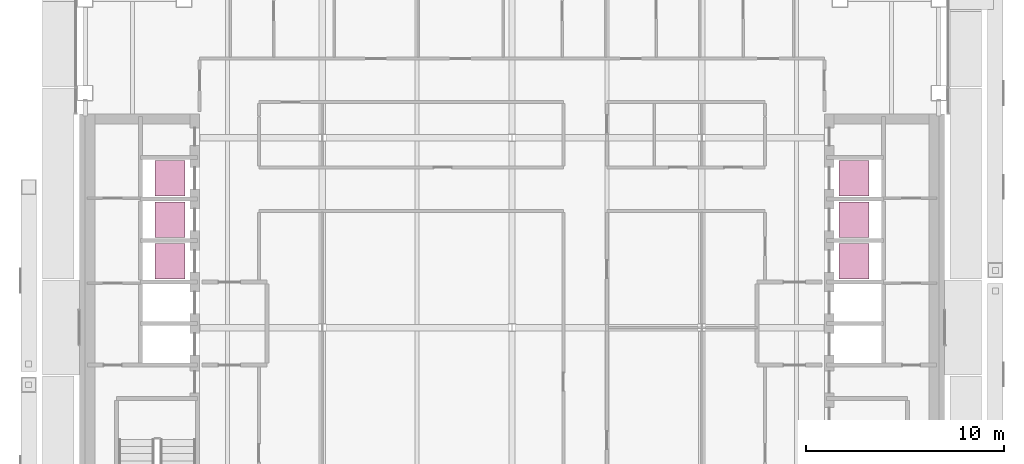
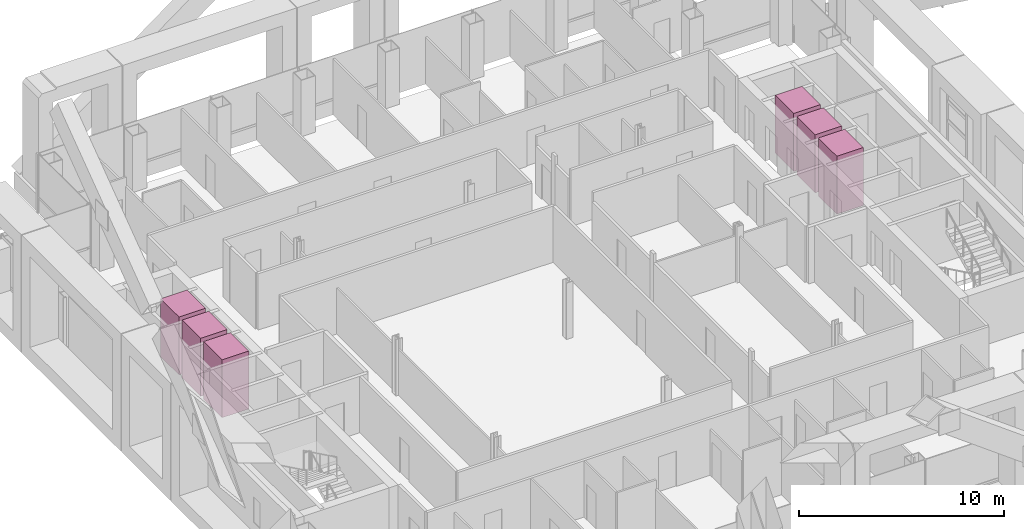
# One storey, part 22 of 22: 6 transport elements.
"""IFC4 building model written with IfcOpenShell, lengths in metres."""

from ifc_helpers import new_model, si_unit, direction, frame, origin, origin_2d, place, context, subcontext, project, spatial, rectangle, extrude, material, type_object, element, save


model = new_model("IFC4")

# Units and contexts
model_context = context("Model", 3, precision=1e-05, world=origin(), true_north=direction((0.0, 1.0)))
body_context = subcontext(model_context, "Body", "Model", "MODEL_VIEW")
ifc_project = project(units=[si_unit("LENGTHUNIT", "METRE"), si_unit("AREAUNIT", "SQUARE_METRE"), si_unit("VOLUMEUNIT", "CUBIC_METRE"), si_unit("PLANEANGLEUNIT", "RADIAN"), si_unit("MASSUNIT", "GRAM", prefix="KILO")], contexts=[model_context])

# Site, building, storey
site_placement = place(None, origin())
site = spatial("IfcSite", under=ifc_project, at=site_placement, CompositionType="ELEMENT")
building_placement = place(site_placement, origin())
building = spatial("IfcBuilding", under=site, at=building_placement, Name="Cobrizo Arcos Hotel Tower", CompositionType="ELEMENT")
storey_placement = place(building_placement, frame((0.0, 0.0, 155.0)))
storey = spatial("IfcBuildingStorey", under=building, at=storey_placement, Name="L39", CompositionType="ELEMENT", Elevation=155.0)

# Transport elements
ifc_material = material(Name="Stainless steel car", Category="steel")
transport_element_type = type_object("IfcTransportElementType", Name="Lift car High 1.8x1.5", PredefinedType="ELEVATOR", material=ifc_material)
for number, where, z_axis, x_axis, name in (
    (1, (-17.300048828125, 3.35009765625, 0.0), (0.0, 0.0, 1.0), (1.0, 0.0, 0.0), "High-rise passenger lift W1"),
    (2, (-17.300048828125, 5.449951171875, 0.0), (0.0, 0.0, 1.0), (1.0, 0.0, 0.0), "High-rise passenger lift W2"),
    (3, (-17.300048828125, 7.550048828125, 0.0), (0.0, 0.0, 1.0), (1.0, 0.0, 0.0), "High-rise passenger lift W3"),
    (4, (17.300048828125, 3.35009765625, 0.0), (0.0, 0.0, 1.0), (1.0, 0.0, 0.0), "High-rise passenger lift E1"),
    (5, (17.300048828125, 5.449951171875, 0.0), (0.0, 0.0, 1.0), (1.0, 0.0, 0.0), "High-rise passenger lift E2"),
    (6, (17.300048828125, 7.550048828125, 0.0), (0.0, 0.0, 1.0), (1.0, 0.0, 0.0), "High-rise passenger lift E3"),
):
    element("IfcTransportElement", number, at=place(storey_placement, frame(where, z_axis=z_axis, x_axis=x_axis)), inside=storey, type_object=transport_element_type, Name=name, PredefinedType="ELEVATOR", context=body_context, shape_type="SweptSolid", body=[
        extrude(rectangle(XDim=1.5, YDim=1.800048828125, at=origin_2d()), origin(), (0.0, 0.0, 1.0), 3.449951171875),
    ])

save(model, "model.ifc")
